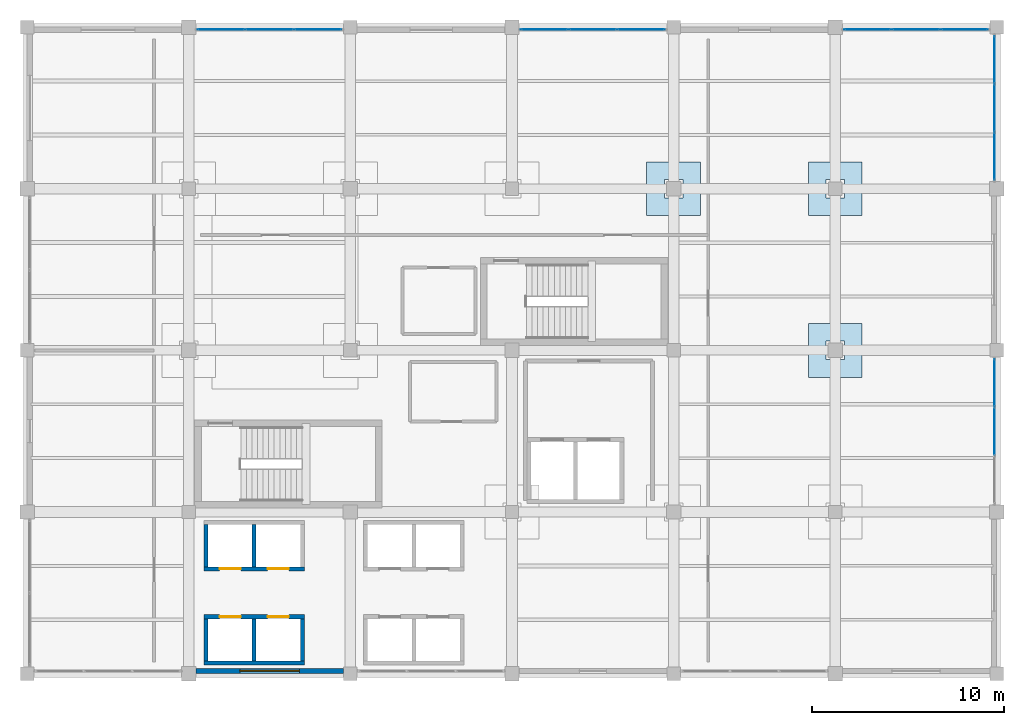
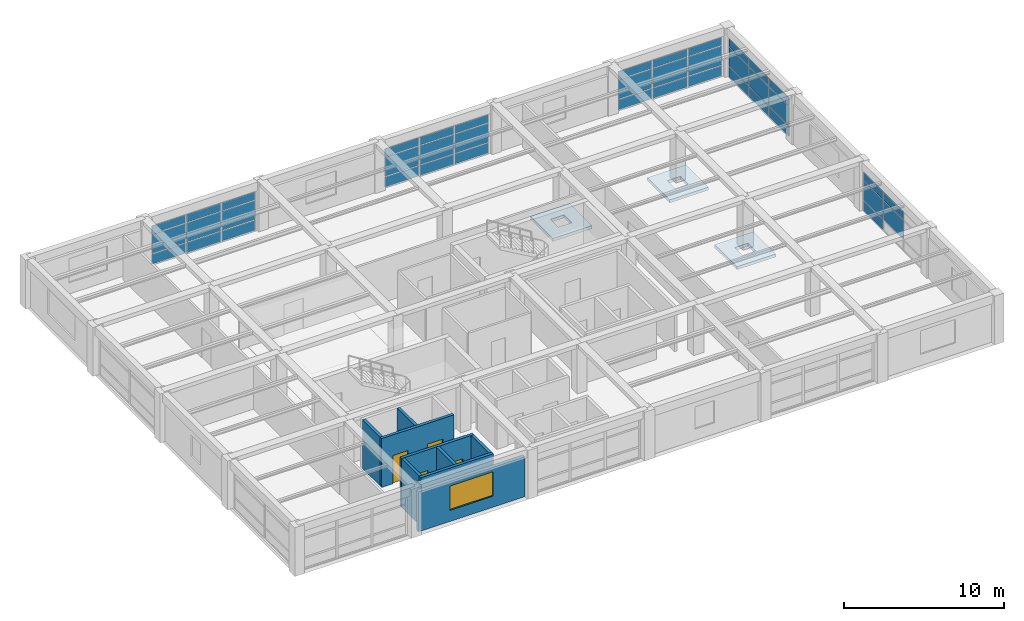
# One storey, part 23 of 26: 41 plates, 9 walls, 4 doors, 3 slabs, 1 window, 5 openings, 5 elements without a shape of their own.
"""IFC4 building model written with IfcOpenShell, lengths in metres."""

from ifc_helpers import new_model, si_unit, direction, frame, frame_2d, origin, origin_2d, place, context, subcontext, project, spatial, polyline, rectangle, outline, extrude, material, layer, layer_set, type_object, element, fill, aggregate, save


model = new_model("IFC4")

# Units and contexts
model_context = context("Model", 3, precision=1e-05, world=origin(), true_north=direction((0.0, 1.0)))
body_context = subcontext(model_context, "Body", "Model", "MODEL_VIEW")
ifc_project = project(units=[si_unit("LENGTHUNIT", "METRE"), si_unit("AREAUNIT", "SQUARE_METRE"), si_unit("VOLUMEUNIT", "CUBIC_METRE"), si_unit("PLANEANGLEUNIT", "RADIAN"), si_unit("MASSUNIT", "GRAM", prefix="KILO")], contexts=[model_context])

# Site, building, storey
site_placement = place(None, origin())
site = spatial("IfcSite", under=ifc_project, at=site_placement, CompositionType="ELEMENT")
building_placement = place(site_placement, origin())
building = spatial("IfcBuilding", under=site, at=building_placement, Name="Almacenes y Pasaje Nevantli", CompositionType="ELEMENT")
storey_placement = place(building_placement, frame((0.0, 0.0, 38.699951171875)))
storey = spatial("IfcBuildingStorey", under=building, at=storey_placement, Name="L09", CompositionType="ELEMENT", Elevation=38.699951171875)

# Curtain wall, plates
ifc_material_1 = material(Name="Thermally Broken Aluminium and Low-E Glass", Category="aluminium")
curtain_wall_type = type_object("IfcCurtainWallType", Name="CW-UNIT-TOWER", PredefinedType="USERDEFINED", material=ifc_material_1)
curtain_wall_1_placement = place(storey_placement, origin())
curtain_wall_1 = element("IfcCurtainWall", 1, at=curtain_wall_1_placement, inside=storey, type_object=curtain_wall_type, Name="L09 Tower North Boulevard Unitized Curtain Wall Bay 15", ObjectType="UNITIZED CURTAIN WALL", PredefinedType="USERDEFINED")
ifc_material_2 = material(Name="Acoustic Tempered Low-E Triple Glazed Unit", Category="glass")
ifc_layer_1 = layer(ifc_material_2, 0.0419921875)
ifc_layer_set_1 = layer_set([ifc_layer_1], Name="Acoustic Tempered Low-E Triple Glazed Unit")
plate_type = type_object("IfcPlateType", Name="PL-IGU-42", PredefinedType="CURTAIN_PANEL", material=ifc_layer_set_1)
plate_1_placement = place(storey_placement, frame((119.282958984375, 100.679931640625, 0.065185546875), z_axis=(0.0, 0.0, 1.0), x_axis=(1.0, 0.0, 0.0)))
plate_1 = element("IfcPlate", 2, at=plate_1_placement, type_object=plate_type, Name="CW-L09-132 panel 1.1", PredefinedType="CURTAIN_PANEL", context=body_context, shape_type="SweptSolid", body=[
    extrude(rectangle(XDim=2.435791015625, YDim=0.0419921875, at=origin_2d()), origin(), (0.0, 0.0, 1.0), 0.75244140625),
])
plate_2_placement = place(storey_placement, frame((119.282958984375, 100.679931640625, 0.882568359375), z_axis=(0.0, 0.0, 1.0), x_axis=(1.0, 0.0, 0.0)))
plate_2 = element("IfcPlate", 3, at=plate_2_placement, type_object=plate_type, Name="CW-L09-132 panel 1.2", PredefinedType="CURTAIN_PANEL", context=body_context, shape_type="SweptSolid", body=[
    extrude(rectangle(XDim=2.435791015625, YDim=0.0419921875, at=origin_2d()), origin(), (0.0, 0.0, 1.0), 1.43505859375),
])
plate_3_placement = place(storey_placement, frame((119.282958984375, 100.679931640625, 2.38232421875), z_axis=(0.0, 0.0, 1.0), x_axis=(1.0, 0.0, 0.0)))
plate_3 = element("IfcPlate", 4, at=plate_3_placement, type_object=plate_type, Name="CW-L09-132 panel 1.3", PredefinedType="CURTAIN_PANEL", context=body_context, shape_type="SweptSolid", body=[
    extrude(rectangle(XDim=2.435791015625, YDim=0.0419921875, at=origin_2d()), origin(), (0.0, 0.0, 1.0), 0.592529296875),
])
plate_4_placement = place(storey_placement, frame((121.800048828125, 100.679931640625, 0.065185546875), z_axis=(0.0, 0.0, 1.0), x_axis=(1.0, 0.0, 0.0)))
plate_4 = element("IfcPlate", 5, at=plate_4_placement, type_object=plate_type, Name="CW-L09-132 panel 2.1", PredefinedType="CURTAIN_PANEL", context=body_context, shape_type="SweptSolid", body=[
    extrude(rectangle(XDim=2.46826171875, YDim=0.0419921875, at=origin_2d()), origin(), (0.0, 0.0, 1.0), 0.75244140625),
])
plate_5_placement = place(storey_placement, frame((121.800048828125, 100.679931640625, 0.882568359375), z_axis=(0.0, 0.0, 1.0), x_axis=(1.0, 0.0, 0.0)))
plate_5 = element("IfcPlate", 6, at=plate_5_placement, type_object=plate_type, Name="CW-L09-132 panel 2.2", PredefinedType="CURTAIN_PANEL", context=body_context, shape_type="SweptSolid", body=[
    extrude(rectangle(XDim=2.46826171875, YDim=0.0419921875, at=origin_2d()), origin(), (0.0, 0.0, 1.0), 1.43505859375),
])
plate_6_placement = place(storey_placement, frame((121.800048828125, 100.679931640625, 2.38232421875), z_axis=(0.0, 0.0, 1.0), x_axis=(1.0, 0.0, 0.0)))
plate_6 = element("IfcPlate", 7, at=plate_6_placement, type_object=plate_type, Name="CW-L09-132 panel 2.3", PredefinedType="CURTAIN_PANEL", context=body_context, shape_type="SweptSolid", body=[
    extrude(rectangle(XDim=2.46826171875, YDim=0.0419921875, at=origin_2d()), origin(), (0.0, 0.0, 1.0), 0.592529296875),
])
plate_7_placement = place(storey_placement, frame((124.317138671875, 100.679931640625, 0.065185546875), z_axis=(0.0, 0.0, 1.0), x_axis=(1.0, 0.0, 0.0)))
plate_7 = element("IfcPlate", 8, at=plate_7_placement, type_object=plate_type, Name="CW-L09-132 panel 3.1", PredefinedType="CURTAIN_PANEL", context=body_context, shape_type="SweptSolid", body=[
    extrude(rectangle(XDim=2.435791015625, YDim=0.0419921875, at=origin_2d()), origin(), (0.0, 0.0, 1.0), 0.75244140625),
])
plate_8_placement = place(storey_placement, frame((124.317138671875, 100.679931640625, 0.882568359375), z_axis=(0.0, 0.0, 1.0), x_axis=(1.0, 0.0, 0.0)))
plate_8 = element("IfcPlate", 9, at=plate_8_placement, type_object=plate_type, Name="CW-L09-132 panel 3.2", PredefinedType="CURTAIN_PANEL", context=body_context, shape_type="SweptSolid", body=[
    extrude(rectangle(XDim=2.435791015625, YDim=0.0419921875, at=origin_2d()), origin(), (0.0, 0.0, 1.0), 1.43505859375),
])
plate_9_placement = place(storey_placement, frame((124.317138671875, 100.679931640625, 2.38232421875), z_axis=(0.0, 0.0, 1.0), x_axis=(1.0, 0.0, 0.0)))
plate_9 = element("IfcPlate", 10, at=plate_9_placement, type_object=plate_type, Name="CW-L09-132 panel 3.3", PredefinedType="CURTAIN_PANEL", context=body_context, shape_type="SweptSolid", body=[
    extrude(rectangle(XDim=2.435791015625, YDim=0.0419921875, at=origin_2d()), origin(), (0.0, 0.0, 1.0), 0.592529296875),
])
aggregate(curtain_wall_1, [plate_1, plate_2, plate_3, plate_4, plate_5, plate_6, plate_7, plate_8, plate_9])

curtain_wall_2_placement = place(storey_placement, origin())
curtain_wall_2 = element("IfcCurtainWall", 11, at=curtain_wall_2_placement, inside=storey, type_object=curtain_wall_type, Name="L09 Tower North Boulevard Unitized Curtain Wall Bay 17", ObjectType="UNITIZED CURTAIN WALL", PredefinedType="USERDEFINED")
plate_10_placement = place(storey_placement, frame((136.0830078125, 100.679931640625, 0.065185546875), z_axis=(0.0, 0.0, 1.0), x_axis=(1.0, 0.0, 0.0)))
plate_10 = element("IfcPlate", 12, at=plate_10_placement, type_object=plate_type, Name="CW-L09-134 panel 1.1", PredefinedType="CURTAIN_PANEL", context=body_context, shape_type="SweptSolid", body=[
    extrude(rectangle(XDim=2.435791015625, YDim=0.0419921875, at=origin_2d()), origin(), (0.0, 0.0, 1.0), 0.75244140625),
])
plate_11_placement = place(storey_placement, frame((136.0830078125, 100.679931640625, 0.882568359375), z_axis=(0.0, 0.0, 1.0), x_axis=(1.0, 0.0, 0.0)))
plate_11 = element("IfcPlate", 13, at=plate_11_placement, type_object=plate_type, Name="CW-L09-134 panel 1.2", PredefinedType="CURTAIN_PANEL", context=body_context, shape_type="SweptSolid", body=[
    extrude(rectangle(XDim=2.435791015625, YDim=0.0419921875, at=origin_2d()), origin(), (0.0, 0.0, 1.0), 1.43505859375),
])
plate_12_placement = place(storey_placement, frame((136.0830078125, 100.679931640625, 2.38232421875), z_axis=(0.0, 0.0, 1.0), x_axis=(1.0, 0.0, 0.0)))
plate_12 = element("IfcPlate", 14, at=plate_12_placement, type_object=plate_type, Name="CW-L09-134 panel 1.3", PredefinedType="CURTAIN_PANEL", context=body_context, shape_type="SweptSolid", body=[
    extrude(rectangle(XDim=2.435791015625, YDim=0.0419921875, at=origin_2d()), origin(), (0.0, 0.0, 1.0), 0.592529296875),
])
plate_13_placement = place(storey_placement, frame((138.60009765625, 100.679931640625, 0.065185546875), z_axis=(0.0, 0.0, 1.0), x_axis=(1.0, 0.0, 0.0)))
plate_13 = element("IfcPlate", 15, at=plate_13_placement, type_object=plate_type, Name="CW-L09-134 panel 2.1", PredefinedType="CURTAIN_PANEL", context=body_context, shape_type="SweptSolid", body=[
    extrude(rectangle(XDim=2.46826171875, YDim=0.0419921875, at=origin_2d()), origin(), (0.0, 0.0, 1.0), 0.75244140625),
])
plate_14_placement = place(storey_placement, frame((138.60009765625, 100.679931640625, 0.882568359375), z_axis=(0.0, 0.0, 1.0), x_axis=(1.0, 0.0, 0.0)))
plate_14 = element("IfcPlate", 16, at=plate_14_placement, type_object=plate_type, Name="CW-L09-134 panel 2.2", PredefinedType="CURTAIN_PANEL", context=body_context, shape_type="SweptSolid", body=[
    extrude(rectangle(XDim=2.46826171875, YDim=0.0419921875, at=origin_2d()), origin(), (0.0, 0.0, 1.0), 1.43505859375),
])
plate_15_placement = place(storey_placement, frame((138.60009765625, 100.679931640625, 2.38232421875), z_axis=(0.0, 0.0, 1.0), x_axis=(1.0, 0.0, 0.0)))
plate_15 = element("IfcPlate", 17, at=plate_15_placement, type_object=plate_type, Name="CW-L09-134 panel 2.3", PredefinedType="CURTAIN_PANEL", context=body_context, shape_type="SweptSolid", body=[
    extrude(rectangle(XDim=2.46826171875, YDim=0.0419921875, at=origin_2d()), origin(), (0.0, 0.0, 1.0), 0.592529296875),
])
plate_16_placement = place(storey_placement, frame((141.1171875, 100.679931640625, 0.065185546875), z_axis=(0.0, 0.0, 1.0), x_axis=(1.0, 0.0, 0.0)))
plate_16 = element("IfcPlate", 18, at=plate_16_placement, type_object=plate_type, Name="CW-L09-134 panel 3.1", PredefinedType="CURTAIN_PANEL", context=body_context, shape_type="SweptSolid", body=[
    extrude(rectangle(XDim=2.435791015625, YDim=0.0419921875, at=origin_2d()), origin(), (0.0, 0.0, 1.0), 0.75244140625),
])
plate_17_placement = place(storey_placement, frame((141.1171875, 100.679931640625, 0.882568359375), z_axis=(0.0, 0.0, 1.0), x_axis=(1.0, 0.0, 0.0)))
plate_17 = element("IfcPlate", 19, at=plate_17_placement, type_object=plate_type, Name="CW-L09-134 panel 3.2", PredefinedType="CURTAIN_PANEL", context=body_context, shape_type="SweptSolid", body=[
    extrude(rectangle(XDim=2.435791015625, YDim=0.0419921875, at=origin_2d()), origin(), (0.0, 0.0, 1.0), 1.43505859375),
])
plate_18_placement = place(storey_placement, frame((141.1171875, 100.679931640625, 2.38232421875), z_axis=(0.0, 0.0, 1.0), x_axis=(1.0, 0.0, 0.0)))
plate_18 = element("IfcPlate", 20, at=plate_18_placement, type_object=plate_type, Name="CW-L09-134 panel 3.3", PredefinedType="CURTAIN_PANEL", context=body_context, shape_type="SweptSolid", body=[
    extrude(rectangle(XDim=2.435791015625, YDim=0.0419921875, at=origin_2d()), origin(), (0.0, 0.0, 1.0), 0.592529296875),
])
aggregate(curtain_wall_2, [plate_10, plate_11, plate_12, plate_13, plate_14, plate_15, plate_16, plate_17, plate_18])

curtain_wall_3_placement = place(storey_placement, origin())
curtain_wall_3 = element("IfcCurtainWall", 21, at=curtain_wall_3_placement, inside=storey, type_object=curtain_wall_type, Name="L09 Tower North Boulevard Unitized Curtain Wall Bay 19", ObjectType="UNITIZED CURTAIN WALL", PredefinedType="USERDEFINED")
plate_19_placement = place(storey_placement, frame((152.8828125, 100.679931640625, 0.065185546875), z_axis=(0.0, 0.0, 1.0), x_axis=(1.0, 0.0, 0.0)))
plate_19 = element("IfcPlate", 22, at=plate_19_placement, type_object=plate_type, Name="CW-L09-136 panel 1.1", PredefinedType="CURTAIN_PANEL", context=body_context, shape_type="SweptSolid", body=[
    extrude(rectangle(XDim=2.435791015625, YDim=0.0419921875, at=origin_2d()), origin(), (0.0, 0.0, 1.0), 0.75244140625),
])
plate_20_placement = place(storey_placement, frame((152.8828125, 100.679931640625, 0.882568359375), z_axis=(0.0, 0.0, 1.0), x_axis=(1.0, 0.0, 0.0)))
plate_20 = element("IfcPlate", 23, at=plate_20_placement, type_object=plate_type, Name="CW-L09-136 panel 1.2", PredefinedType="CURTAIN_PANEL", context=body_context, shape_type="SweptSolid", body=[
    extrude(rectangle(XDim=2.435791015625, YDim=0.0419921875, at=origin_2d()), origin(), (0.0, 0.0, 1.0), 1.43505859375),
])
plate_21_placement = place(storey_placement, frame((152.8828125, 100.679931640625, 2.38232421875), z_axis=(0.0, 0.0, 1.0), x_axis=(1.0, 0.0, 0.0)))
plate_21 = element("IfcPlate", 24, at=plate_21_placement, type_object=plate_type, Name="CW-L09-136 panel 1.3", PredefinedType="CURTAIN_PANEL", context=body_context, shape_type="SweptSolid", body=[
    extrude(rectangle(XDim=2.435791015625, YDim=0.0419921875, at=origin_2d()), origin(), (0.0, 0.0, 1.0), 0.592529296875),
])
plate_22_placement = place(storey_placement, frame((155.39990234375, 100.679931640625, 0.065185546875), z_axis=(0.0, 0.0, 1.0), x_axis=(1.0, 0.0, 0.0)))
plate_22 = element("IfcPlate", 25, at=plate_22_placement, type_object=plate_type, Name="CW-L09-136 panel 2.1", PredefinedType="CURTAIN_PANEL", context=body_context, shape_type="SweptSolid", body=[
    extrude(rectangle(XDim=2.46826171875, YDim=0.0419921875, at=origin_2d()), origin(), (0.0, 0.0, 1.0), 0.75244140625),
])
plate_23_placement = place(storey_placement, frame((155.39990234375, 100.679931640625, 0.882568359375), z_axis=(0.0, 0.0, 1.0), x_axis=(1.0, 0.0, 0.0)))
plate_23 = element("IfcPlate", 26, at=plate_23_placement, type_object=plate_type, Name="CW-L09-136 panel 2.2", PredefinedType="CURTAIN_PANEL", context=body_context, shape_type="SweptSolid", body=[
    extrude(rectangle(XDim=2.46826171875, YDim=0.0419921875, at=origin_2d()), origin(), (0.0, 0.0, 1.0), 1.43505859375),
])
plate_24_placement = place(storey_placement, frame((155.39990234375, 100.679931640625, 2.38232421875), z_axis=(0.0, 0.0, 1.0), x_axis=(1.0, 0.0, 0.0)))
plate_24 = element("IfcPlate", 27, at=plate_24_placement, type_object=plate_type, Name="CW-L09-136 panel 2.3", PredefinedType="CURTAIN_PANEL", context=body_context, shape_type="SweptSolid", body=[
    extrude(rectangle(XDim=2.46826171875, YDim=0.0419921875, at=origin_2d()), origin(), (0.0, 0.0, 1.0), 0.592529296875),
])
plate_25_placement = place(storey_placement, frame((157.9169921875, 100.679931640625, 0.065185546875), z_axis=(0.0, 0.0, 1.0), x_axis=(1.0, 0.0, 0.0)))
plate_25 = element("IfcPlate", 28, at=plate_25_placement, type_object=plate_type, Name="CW-L09-136 panel 3.1", PredefinedType="CURTAIN_PANEL", context=body_context, shape_type="SweptSolid", body=[
    extrude(rectangle(XDim=2.435791015625, YDim=0.0419921875, at=origin_2d()), origin(), (0.0, 0.0, 1.0), 0.75244140625),
])
plate_26_placement = place(storey_placement, frame((157.9169921875, 100.679931640625, 0.882568359375), z_axis=(0.0, 0.0, 1.0), x_axis=(1.0, 0.0, 0.0)))
plate_26 = element("IfcPlate", 29, at=plate_26_placement, type_object=plate_type, Name="CW-L09-136 panel 3.2", PredefinedType="CURTAIN_PANEL", context=body_context, shape_type="SweptSolid", body=[
    extrude(rectangle(XDim=2.435791015625, YDim=0.0419921875, at=origin_2d()), origin(), (0.0, 0.0, 1.0), 1.43505859375),
])
plate_27_placement = place(storey_placement, frame((157.9169921875, 100.679931640625, 2.38232421875), z_axis=(0.0, 0.0, 1.0), x_axis=(1.0, 0.0, 0.0)))
plate_27 = element("IfcPlate", 30, at=plate_27_placement, type_object=plate_type, Name="CW-L09-136 panel 3.3", PredefinedType="CURTAIN_PANEL", context=body_context, shape_type="SweptSolid", body=[
    extrude(rectangle(XDim=2.435791015625, YDim=0.0419921875, at=origin_2d()), origin(), (0.0, 0.0, 1.0), 0.592529296875),
])
aggregate(curtain_wall_3, [plate_19, plate_20, plate_21, plate_22, plate_23, plate_24, plate_25, plate_26, plate_27])

curtain_wall_4_placement = place(storey_placement, origin())
curtain_wall_4 = element("IfcCurtainWall", 31, at=curtain_wall_4_placement, inside=storey, type_object=curtain_wall_type, Name="L09 Tower East Curtain Wall Bay 10", ObjectType="UNITIZED CURTAIN WALL", PredefinedType="USERDEFINED")
plate_28_placement = place(storey_placement, frame((159.47998046875, 79.800048828125, 0.880126953125), z_axis=(0.0, 0.0, 1.0), x_axis=(0.0, 1.0, 0.0)))
plate_28 = element("IfcPlate", 32, at=plate_28_placement, type_object=plate_type, Name="CW-L09-138 panel 2.2", PredefinedType="CURTAIN_PANEL", context=body_context, shape_type="SweptSolid", body=[
    extrude(rectangle(XDim=2.473388671875, YDim=0.0419921875, at=origin_2d()), origin(), (0.0, 0.0, 1.0), 1.43994140625),
])
plate_29_placement = place(storey_placement, frame((159.47998046875, 79.800048828125, 2.3798828125), z_axis=(0.0, 0.0, 1.0), x_axis=(0.0, 1.0, 0.0)))
plate_29 = element("IfcPlate", 33, at=plate_29_placement, type_object=plate_type, Name="CW-L09-138 panel 2.3", PredefinedType="CURTAIN_PANEL", context=body_context, shape_type="SweptSolid", body=[
    extrude(rectangle(XDim=2.473388671875, YDim=0.0419921875, at=origin_2d()), origin(), (0.0, 0.0, 1.0), 0.60009765625),
])
plate_30_placement = place(storey_placement, frame((159.47998046875, 82.318359375, 0.06005859375), z_axis=(0.0, 0.0, 1.0), x_axis=(0.0, 1.0, 0.0)))
plate_30 = element("IfcPlate", 34, at=plate_30_placement, type_object=plate_type, Name="CW-L09-138 panel 3.1", PredefinedType="CURTAIN_PANEL", context=body_context, shape_type="SweptSolid", body=[
    extrude(rectangle(XDim=2.443359375, YDim=0.0419921875, at=origin_2d()), origin(), (0.0, 0.0, 1.0), 0.760009765625),
])
plate_31_placement = place(storey_placement, frame((159.47998046875, 82.318359375, 0.880126953125), z_axis=(0.0, 0.0, 1.0), x_axis=(0.0, 1.0, 0.0)))
plate_31 = element("IfcPlate", 35, at=plate_31_placement, type_object=plate_type, Name="CW-L09-138 panel 3.2", PredefinedType="CURTAIN_PANEL", context=body_context, shape_type="SweptSolid", body=[
    extrude(rectangle(XDim=2.443359375, YDim=0.0419921875, at=origin_2d()), origin(), (0.0, 0.0, 1.0), 1.43994140625),
])
plate_32_placement = place(storey_placement, frame((159.47998046875, 82.318359375, 2.3798828125), z_axis=(0.0, 0.0, 1.0), x_axis=(0.0, 1.0, 0.0)))
plate_32 = element("IfcPlate", 36, at=plate_32_placement, type_object=plate_type, Name="CW-L09-138 panel 3.3", PredefinedType="CURTAIN_PANEL", context=body_context, shape_type="SweptSolid", body=[
    extrude(rectangle(XDim=2.443359375, YDim=0.0419921875, at=origin_2d()), origin(), (0.0, 0.0, 1.0), 0.60009765625),
])
aggregate(curtain_wall_4, [plate_28, plate_29, plate_30, plate_31, plate_32])

curtain_wall_5_placement = place(storey_placement, origin())
curtain_wall_5 = element("IfcCurtainWall", 37, at=curtain_wall_5_placement, inside=storey, type_object=curtain_wall_type, Name="L09 Tower East Curtain Wall Bay 12", ObjectType="UNITIZED CURTAIN WALL", PredefinedType="USERDEFINED")
plate_33_placement = place(storey_placement, frame((159.47998046875, 94.081787109375, 0.06005859375), z_axis=(0.0, 0.0, 1.0), x_axis=(0.0, 1.0, 0.0)))
plate_33 = element("IfcPlate", 38, at=plate_33_placement, type_object=plate_type, Name="CW-L09-140 panel 1.1", PredefinedType="CURTAIN_PANEL", context=body_context, shape_type="SweptSolid", body=[
    extrude(rectangle(XDim=2.443359375, YDim=0.0419921875, at=origin_2d()), origin(), (0.0, 0.0, 1.0), 0.760009765625),
])
plate_34_placement = place(storey_placement, frame((159.47998046875, 94.081787109375, 0.880126953125), z_axis=(0.0, 0.0, 1.0), x_axis=(0.0, 1.0, 0.0)))
plate_34 = element("IfcPlate", 39, at=plate_34_placement, type_object=plate_type, Name="CW-L09-140 panel 1.2", PredefinedType="CURTAIN_PANEL", context=body_context, shape_type="SweptSolid", body=[
    extrude(rectangle(XDim=2.443359375, YDim=0.0419921875, at=origin_2d()), origin(), (0.0, 0.0, 1.0), 1.43994140625),
])
plate_35_placement = place(storey_placement, frame((159.47998046875, 94.081787109375, 2.3798828125), z_axis=(0.0, 0.0, 1.0), x_axis=(0.0, 1.0, 0.0)))
plate_35 = element("IfcPlate", 40, at=plate_35_placement, type_object=plate_type, Name="CW-L09-140 panel 1.3", PredefinedType="CURTAIN_PANEL", context=body_context, shape_type="SweptSolid", body=[
    extrude(rectangle(XDim=2.443359375, YDim=0.0419921875, at=origin_2d()), origin(), (0.0, 0.0, 1.0), 0.60009765625),
])
plate_36_placement = place(storey_placement, frame((159.47998046875, 96.60009765625, 0.06005859375), z_axis=(0.0, 0.0, 1.0), x_axis=(0.0, 1.0, 0.0)))
plate_36 = element("IfcPlate", 41, at=plate_36_placement, type_object=plate_type, Name="CW-L09-140 panel 2.1", PredefinedType="CURTAIN_PANEL", context=body_context, shape_type="SweptSolid", body=[
    extrude(rectangle(XDim=2.473388671875, YDim=0.0419921875, at=origin_2d()), origin(), (0.0, 0.0, 1.0), 0.760009765625),
])
plate_37_placement = place(storey_placement, frame((159.47998046875, 96.60009765625, 0.880126953125), z_axis=(0.0, 0.0, 1.0), x_axis=(0.0, 1.0, 0.0)))
plate_37 = element("IfcPlate", 42, at=plate_37_placement, type_object=plate_type, Name="CW-L09-140 panel 2.2", PredefinedType="CURTAIN_PANEL", context=body_context, shape_type="SweptSolid", body=[
    extrude(rectangle(XDim=2.473388671875, YDim=0.0419921875, at=origin_2d()), origin(), (0.0, 0.0, 1.0), 1.43994140625),
])
plate_38_placement = place(storey_placement, frame((159.47998046875, 96.60009765625, 2.3798828125), z_axis=(0.0, 0.0, 1.0), x_axis=(0.0, 1.0, 0.0)))
plate_38 = element("IfcPlate", 43, at=plate_38_placement, type_object=plate_type, Name="CW-L09-140 panel 2.3", PredefinedType="CURTAIN_PANEL", context=body_context, shape_type="SweptSolid", body=[
    extrude(rectangle(XDim=2.473388671875, YDim=0.0419921875, at=origin_2d()), origin(), (0.0, 0.0, 1.0), 0.60009765625),
])
plate_39_placement = place(storey_placement, frame((159.47998046875, 99.118408203125, 0.06005859375), z_axis=(0.0, 0.0, 1.0), x_axis=(0.0, 1.0, 0.0)))
plate_39 = element("IfcPlate", 44, at=plate_39_placement, type_object=plate_type, Name="CW-L09-140 panel 3.1", PredefinedType="CURTAIN_PANEL", context=body_context, shape_type="SweptSolid", body=[
    extrude(rectangle(XDim=2.443359375, YDim=0.0419921875, at=origin_2d()), origin(), (0.0, 0.0, 1.0), 0.760009765625),
])
plate_40_placement = place(storey_placement, frame((159.47998046875, 99.118408203125, 0.880126953125), z_axis=(0.0, 0.0, 1.0), x_axis=(0.0, 1.0, 0.0)))
plate_40 = element("IfcPlate", 45, at=plate_40_placement, type_object=plate_type, Name="CW-L09-140 panel 3.2", PredefinedType="CURTAIN_PANEL", context=body_context, shape_type="SweptSolid", body=[
    extrude(rectangle(XDim=2.443359375, YDim=0.0419921875, at=origin_2d()), origin(), (0.0, 0.0, 1.0), 1.43994140625),
])
plate_41_placement = place(storey_placement, frame((159.47998046875, 99.118408203125, 2.3798828125), z_axis=(0.0, 0.0, 1.0), x_axis=(0.0, 1.0, 0.0)))
plate_41 = element("IfcPlate", 46, at=plate_41_placement, type_object=plate_type, Name="CW-L09-140 panel 3.3", PredefinedType="CURTAIN_PANEL", context=body_context, shape_type="SweptSolid", body=[
    extrude(rectangle(XDim=2.443359375, YDim=0.0419921875, at=origin_2d()), origin(), (0.0, 0.0, 1.0), 0.60009765625),
])
aggregate(curtain_wall_5, [plate_33, plate_34, plate_35, plate_36, plate_37, plate_38, plate_39, plate_40, plate_41])

# Slabs
ifc_material_3 = material(Name="Concrete C35/45", Category="concrete")
ifc_layer_2 = layer(ifc_material_3, 0.22998046875)
ifc_layer_set_2 = layer_set([ifc_layer_2], Name="Concrete C35/45")
slab_type = type_object("IfcSlabType", Name="SLB-DP-230", PredefinedType="USERDEFINED", material=ifc_layer_set_2)
slab_1_placement = place(storey_placement, frame((0.0, 0.0, -0.510009765625)))
element("IfcSlab", 47, at=slab_1_placement, inside=storey, type_object=slab_type, Name="L09 Punching-Shear Drop Panel DP-01 #1139", ObjectType="DROP PANEL", PredefinedType="USERDEFINED", context=body_context, shape_type="SweptSolid", body=[
    extrude(outline(polyline([(141.39990234375, 91.0), (144.199951171875, 91.0), (144.199951171875, 93.800048828125), (141.39990234375, 93.800048828125), (141.39990234375, 91.0)]), holes=[polyline([(142.320068359375, 91.919921875), (143.280029296875, 91.919921875), (143.280029296875, 92.8798828125), (142.320068359375, 92.8798828125), (142.320068359375, 91.919921875)])]), origin(), (0.0, 0.0, 1.0), 0.22998046875),
])
slab_2_placement = place(storey_placement, frame((0.0, 0.0, -0.510009765625)))
element("IfcSlab", 48, at=slab_2_placement, inside=storey, type_object=slab_type, Name="L09 Punching-Shear Drop Panel DP-01 #1141", ObjectType="DROP PANEL", PredefinedType="USERDEFINED", context=body_context, shape_type="SweptSolid", body=[
    extrude(outline(polyline([(149.800048828125, 82.60009765625), (152.60009765625, 82.60009765625), (152.60009765625, 85.39990234375), (149.800048828125, 85.39990234375), (149.800048828125, 82.60009765625)]), holes=[polyline([(150.719970703125, 83.52001953125), (151.679931640625, 83.52001953125), (151.679931640625, 84.47998046875), (150.719970703125, 84.47998046875), (150.719970703125, 83.52001953125)])]), origin(), (0.0, 0.0, 1.0), 0.22998046875),
])
slab_3_placement = place(storey_placement, frame((0.0, 0.0, -0.510009765625)))
element("IfcSlab", 49, at=slab_3_placement, inside=storey, type_object=slab_type, Name="L09 Punching-Shear Drop Panel DP-01 #1142", ObjectType="DROP PANEL", PredefinedType="USERDEFINED", context=body_context, shape_type="SweptSolid", body=[
    extrude(outline(polyline([(149.800048828125, 91.0), (152.60009765625, 91.0), (152.60009765625, 93.800048828125), (149.800048828125, 93.800048828125), (149.800048828125, 91.0)]), holes=[polyline([(150.719970703125, 91.919921875), (151.679931640625, 91.919921875), (151.679931640625, 92.8798828125), (150.719970703125, 92.8798828125), (150.719970703125, 91.919921875)])]), origin(), (0.0, 0.0, 1.0), 0.22998046875),
])

# Wall, opening, window
ifc_material_4 = material(Name="Cream Architectural Precast Concrete C35/45 Wall", Category="concrete")
ifc_layer_3 = layer(ifc_material_4, 0.260009765625)
ifc_layer_set_3 = layer_set([ifc_layer_3], Name="Cream Architectural Precast Concrete C35/45 Wall")
wall_type_1 = type_object("IfcWallType", Name="WL-EXT-PRECAST-260", PredefinedType="SOLIDWALL", material=ifc_layer_set_3)
wall_1_placement = place(storey_placement, frame((117.97802734375, 67.340087890625, 0.0), z_axis=(0.0, 0.0, 1.0), x_axis=(1.0, 0.0, 0.0)))
wall_1 = element("IfcWall", 50, at=wall_1_placement, inside=storey, type_object=wall_type_1, Name="L09 Tower South Precast Spandrel Wall Bay 15", PredefinedType="SOLIDWALL", context=body_context, shape_type="SweptSolid", body=[
    extrude(rectangle(XDim=7.669921875, YDim=0.260009765625, at=frame_2d((3.8349609375, 0.0))), origin(), (0.0, 0.0, 1.0), 3.0400390625),
])
opening_1_placement = place(wall_1_placement, frame((2.27197265625, 0.0, 0.85009765625)))
opening_1 = element("IfcOpeningElement", 51, at=opening_1_placement, cuts=wall_1, Name="Opening WT-28-223", PredefinedType="OPENING", context=body_context, shape_type="SweptSolid", body=[
    extrude(rectangle(XDim=3.10009765625, YDim=1.85009765625, at=frame_2d((1.550048828125, 0.925048828125))), frame((0.0, 0.139892578125, 0.0), z_axis=(0.0, -1.0, 0.0), x_axis=(1.0, 0.0, 0.0)), (0.0, 0.0, 1.0), 0.280029296875),
])
ifc_material_5 = material(Name="Thermally Broken Aluminium and Low-E Double Glazing", Category="aluminium")
window_type = type_object("IfcWindowType", Name="WN-TWR-3100x1850", PartitioningType="SINGLE_PANEL", PredefinedType="WINDOW", material=ifc_material_5)
window_placement = place(opening_1_placement, origin())
window = element("IfcWindow", 52, at=window_placement, inside=storey, type_object=window_type, Name="L09 Exterior Window WT-28 #223", OverallHeight=1.85009765625, OverallWidth=3.10009765625, PartitioningType="SINGLE_PANEL", PredefinedType="WINDOW", context=body_context, shape_type="SweptSolid", body=[
    extrude(rectangle(XDim=3.10009765625, YDim=1.85009765625, at=frame_2d((1.550048828125, 0.925048828125))), frame((0.0, 0.030029296875, 0.0), z_axis=(0.0, -1.0, 0.0), x_axis=(1.0, 0.0, 0.0)), (0.0, 0.0, 1.0), 0.06005859375),
])
fill(opening_1, window)

# Wall
ifc_material_6 = material(Name="Concrete C45/55", Category="concrete")
ifc_layer_4 = layer(ifc_material_6, 0.2099609375)
ifc_layer_set_4 = layer_set([ifc_layer_4], Name="Concrete C45/55")
wall_type_2 = type_object("IfcWallType", Name="WL-SHAFT-210", PredefinedType="SHEAR", material=ifc_layer_set_4)
wall_2_placement = place(storey_placement, frame((118.389892578125, 67.7451171875, 0.0), z_axis=(0.0, 0.0, 1.0), x_axis=(1.0, 0.0, 0.0)))
element("IfcWall", 53, at=wall_2_placement, inside=storey, type_object=wall_type_2, Name="L09 Lift Hoistway ELV-P05-ELV-P06 South Wall", PredefinedType="SHEAR", context=body_context, shape_type="SweptSolid", body=[
    extrude(rectangle(XDim=5.22021484375, YDim=0.2099609375, at=frame_2d((2.610107421875, 0.0))), origin(), (0.0, 0.0, 1.0), 3.719970703125),
])

# Wall, openings, doors
wall_3_placement = place(storey_placement, frame((118.389892578125, 70.155029296875, 0.0), z_axis=(0.0, 0.0, 1.0), x_axis=(1.0, 0.0, 0.0)))
wall_3 = element("IfcWall", 54, at=wall_3_placement, inside=storey, type_object=wall_type_2, Name="L09 Lift Hoistway ELV-P05-ELV-P06 North Wall", PredefinedType="SHEAR", context=body_context, shape_type="SweptSolid", body=[
    extrude(rectangle(XDim=5.22021484375, YDim=0.2099609375, at=frame_2d((2.610107421875, 0.0))), origin(), (0.0, 0.0, 1.0), 3.719970703125),
])
opening_2_placement = place(wall_3_placement, frame((0.81005859375, 0.0, 0.0)))
opening_2 = element("IfcOpeningElement", 55, at=opening_2_placement, cuts=wall_3, Name="Opening LD-P05-L09", PredefinedType="OPENING", context=body_context, shape_type="SweptSolid", body=[
    extrude(rectangle(XDim=1.10009765625, YDim=2.14990234375, at=frame_2d((0.550048828125, 1.074951171875))), frame((0.0, 0.114990234375, 0.0), z_axis=(0.0, -1.0, 0.0), x_axis=(1.0, 0.0, 0.0)), (0.0, 0.0, 1.0), 0.22998046875),
])
opening_3_placement = place(wall_3_placement, frame((3.31005859375, 0.0, 0.0)))
opening_3 = element("IfcOpeningElement", 56, at=opening_3_placement, cuts=wall_3, Name="Opening LD-P06-L09", PredefinedType="OPENING", context=body_context, shape_type="SweptSolid", body=[
    extrude(rectangle(XDim=1.10009765625, YDim=2.14990234375, at=frame_2d((0.550048828125, 1.074951171875))), frame((0.0, 0.114990234375, 0.0), z_axis=(0.0, -1.0, 0.0), x_axis=(1.0, 0.0, 0.0)), (0.0, 0.0, 1.0), 0.22998046875),
])
ifc_material_7 = material(Name="Brushed Stainless Steel", Category="steel")
door_type = type_object("IfcDoorType", Name="DR-LD-PASS-1100", OperationType="DOUBLE_DOOR_SLIDING", PredefinedType="DOOR", material=ifc_material_7)
door_1_placement = place(opening_2_placement, origin())
door_1 = element("IfcDoor", 57, at=door_1_placement, inside=storey, type_object=door_type, Name="Lift Landing Door ELV-P05 L09", OperationType="DOUBLE_DOOR_SLIDING", OverallHeight=2.14990234375, OverallWidth=1.10009765625, PredefinedType="DOOR", context=body_context, shape_type="SweptSolid", body=[
    extrude(rectangle(XDim=1.10009765625, YDim=2.14990234375, at=frame_2d((0.550048828125, 1.074951171875))), frame((0.0, 0.02490234375, 0.0), z_axis=(0.0, -1.0, 0.0), x_axis=(1.0, 0.0, 0.0)), (0.0, 0.0, 1.0), 0.050048828125),
])
fill(opening_2, door_1)
door_2_placement = place(opening_3_placement, origin())
door_2 = element("IfcDoor", 58, at=door_2_placement, inside=storey, type_object=door_type, Name="Lift Landing Door ELV-P06 L09", OperationType="DOUBLE_DOOR_SLIDING", OverallHeight=2.14990234375, OverallWidth=1.10009765625, PredefinedType="DOOR", context=body_context, shape_type="SweptSolid", body=[
    extrude(rectangle(XDim=1.10009765625, YDim=2.14990234375, at=frame_2d((0.550048828125, 1.074951171875))), frame((0.0, 0.02490234375, 0.0), z_axis=(0.0, -1.0, 0.0), x_axis=(1.0, 0.0, 0.0)), (0.0, 0.0, 1.0), 0.050048828125),
])
fill(opening_3, door_2)

# Walls
for number, where, z_axis, x_axis, name in (
    (59, (118.4951171875, 67.85009765625, 0.0), (0.0, 0.0, 1.0), (0.0, 1.0, 0.0), "L09 Lift Hoistway ELV-P05 West Wall"),
    (60, (123.5048828125, 67.85009765625, 0.0), (0.0, 0.0, 1.0), (0.0, 1.0, 0.0), "L09 Lift Hoistway ELV-P06 East Wall"),
    (61, (121.0, 67.85009765625, 0.0), (0.0, 0.0, 1.0), (0.0, 1.0, 0.0), "L09 Lift Hoistway Divider Wall ELV-P05/ELV-P06"),
):
    element("IfcWall", number, at=place(storey_placement, frame(where, z_axis=z_axis, x_axis=x_axis)), inside=storey, type_object=wall_type_2, Name=name, PredefinedType="SHEAR", context=body_context, shape_type="SweptSolid", body=[
        extrude(rectangle(XDim=2.199951171875, YDim=0.2099609375, at=frame_2d((1.10009765625, 0.0))), origin(), (0.0, 0.0, 1.0), 3.719970703125),
    ])

# Wall, openings, doors
wall_4_placement = place(storey_placement, frame((118.389892578125, 72.64501953125, 0.0), z_axis=(0.0, 0.0, 1.0), x_axis=(1.0, 0.0, 0.0)))
wall_4 = element("IfcWall", 62, at=wall_4_placement, inside=storey, type_object=wall_type_2, Name="L09 Lift Hoistway ELV-P07-ELV-P08 South Wall", PredefinedType="SHEAR", context=body_context, shape_type="SweptSolid", body=[
    extrude(rectangle(XDim=5.22021484375, YDim=0.2099609375, at=frame_2d((2.610107421875, 0.0))), origin(), (0.0, 0.0, 1.0), 3.719970703125),
])
opening_4_placement = place(wall_4_placement, frame((0.81005859375, 0.0, 0.0)))
opening_4 = element("IfcOpeningElement", 63, at=opening_4_placement, cuts=wall_4, Name="Opening LD-P07-L09", PredefinedType="OPENING", context=body_context, shape_type="SweptSolid", body=[
    extrude(rectangle(XDim=1.10009765625, YDim=2.14990234375, at=frame_2d((0.550048828125, 1.074951171875))), frame((0.0, 0.114990234375, 0.0), z_axis=(0.0, -1.0, 0.0), x_axis=(1.0, 0.0, 0.0)), (0.0, 0.0, 1.0), 0.22998046875),
])
opening_5_placement = place(wall_4_placement, frame((3.31005859375, 0.0, 0.0)))
opening_5 = element("IfcOpeningElement", 64, at=opening_5_placement, cuts=wall_4, Name="Opening LD-P08-L09", PredefinedType="OPENING", context=body_context, shape_type="SweptSolid", body=[
    extrude(rectangle(XDim=1.10009765625, YDim=2.14990234375, at=frame_2d((0.550048828125, 1.074951171875))), frame((0.0, 0.114990234375, 0.0), z_axis=(0.0, -1.0, 0.0), x_axis=(1.0, 0.0, 0.0)), (0.0, 0.0, 1.0), 0.22998046875),
])
door_3_placement = place(opening_4_placement, origin())
door_3 = element("IfcDoor", 65, at=door_3_placement, inside=storey, type_object=door_type, Name="Lift Landing Door ELV-P07 L09", OperationType="DOUBLE_DOOR_SLIDING", OverallHeight=2.14990234375, OverallWidth=1.10009765625, PredefinedType="DOOR", context=body_context, shape_type="SweptSolid", body=[
    extrude(rectangle(XDim=1.10009765625, YDim=2.14990234375, at=frame_2d((0.550048828125, 1.074951171875))), frame((0.0, 0.02490234375, 0.0), z_axis=(0.0, -1.0, 0.0), x_axis=(1.0, 0.0, 0.0)), (0.0, 0.0, 1.0), 0.050048828125),
])
fill(opening_4, door_3)
door_4_placement = place(opening_5_placement, origin())
door_4 = element("IfcDoor", 66, at=door_4_placement, inside=storey, type_object=door_type, Name="Lift Landing Door ELV-P08 L09", OperationType="DOUBLE_DOOR_SLIDING", OverallHeight=2.14990234375, OverallWidth=1.10009765625, PredefinedType="DOOR", context=body_context, shape_type="SweptSolid", body=[
    extrude(rectangle(XDim=1.10009765625, YDim=2.14990234375, at=frame_2d((0.550048828125, 1.074951171875))), frame((0.0, 0.02490234375, 0.0), z_axis=(0.0, -1.0, 0.0), x_axis=(1.0, 0.0, 0.0)), (0.0, 0.0, 1.0), 0.050048828125),
])
fill(opening_5, door_4)

# Walls
for number, where, z_axis, x_axis, name in (
    (67, (118.4951171875, 72.75, 0.0), (0.0, 0.0, 1.0), (0.0, 1.0, 0.0), "L09 Lift Hoistway ELV-P07 West Wall"),
    (68, (121.0, 72.75, 0.0), (0.0, 0.0, 1.0), (0.0, 1.0, 0.0), "L09 Lift Hoistway Divider Wall ELV-P07/ELV-P08"),
):
    element("IfcWall", number, at=place(storey_placement, frame(where, z_axis=z_axis, x_axis=x_axis)), inside=storey, type_object=wall_type_2, Name=name, PredefinedType="SHEAR", context=body_context, shape_type="SweptSolid", body=[
        extrude(rectangle(XDim=2.199951171875, YDim=0.2099609375, at=frame_2d((1.10009765625, 0.0))), origin(), (0.0, 0.0, 1.0), 3.719970703125),
    ])

save(model, "model.ifc")
